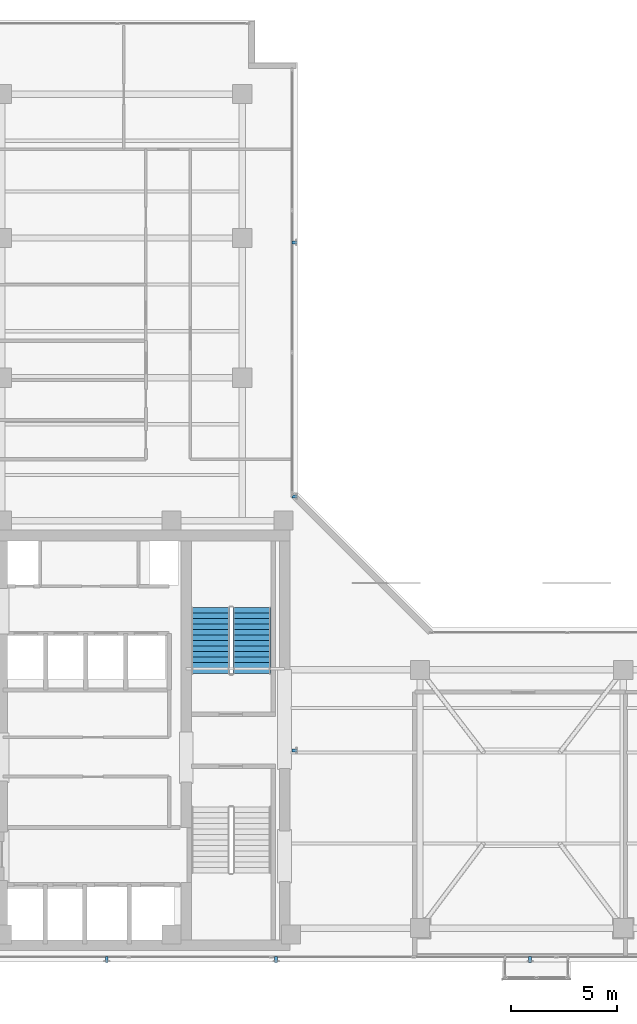
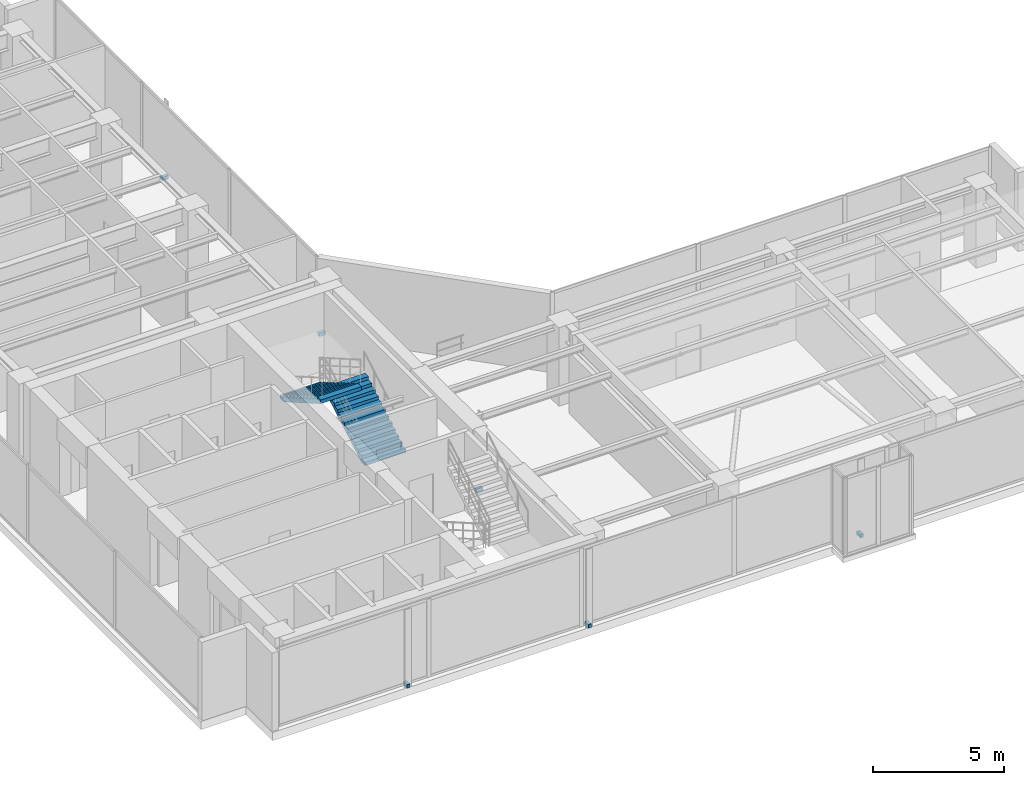
# One storey, part 26 of 31: 6 discrete accessories, 2 stair flights, 1 element without a shape of its own.
"""IFC4 building model written with IfcOpenShell, lengths in metres."""

from ifc_helpers import new_model, si_unit, direction, frame, origin, origin_with_axes, origin_2d, place, context, subcontext, project, spatial, polyline, rectangle, outline, extrude, source, transform, mapped, material, type_object, element, aggregate, save


model = new_model("IFC4")

# Units and contexts
model_context = context("Model", 3, precision=1e-05, world=origin(), true_north=direction((0.0, 1.0)))
body_context = subcontext(model_context, "Body", "Model", "MODEL_VIEW")
ifc_project = project(units=[si_unit("LENGTHUNIT", "METRE"), si_unit("AREAUNIT", "SQUARE_METRE"), si_unit("VOLUMEUNIT", "CUBIC_METRE"), si_unit("PLANEANGLEUNIT", "RADIAN"), si_unit("MASSUNIT", "GRAM", prefix="KILO")], contexts=[model_context])

# Site, building, storey
site_placement = place(None, origin())
site = spatial("IfcSite", under=ifc_project, at=site_placement, CompositionType="ELEMENT")
building_placement = place(site_placement, origin())
building = spatial("IfcBuilding", under=site, at=building_placement, Name="Kolvaren Waterfront Exchange", CompositionType="ELEMENT")
storey_placement = place(building_placement, frame((0.0, 0.0, 344.199951171875)))
storey = spatial("IfcBuildingStorey", under=building, at=storey_placement, Name="L88", CompositionType="ELEMENT", Elevation=344.199951171875)

# Stair, stair flights
ifc_material_1 = material(Name="Concrete C40/50", Category="concrete")
stair_type = type_object("IfcStairType", Name="ARC-STAIR-3900", PredefinedType="HALF_TURN_STAIR", material=ifc_material_1)
stair_placement = place(storey_placement, origin())
stair = element("IfcStair", 1, at=stair_placement, inside=storey, type_object=stair_type, Name="L88 Smoke-proof exit stair ST2", PredefinedType="HALF_TURN_STAIR")
stair_flight_type = type_object("IfcStairFlightType", Name="ARC-FLIGHT-3900", PredefinedType="STRAIGHT", material=ifc_material_1)
stair_flight_1_placement = place(storey_placement, frame((19.260009765625, 17.219970703125, 0.0), z_axis=(0.0, 0.0, 1.0), x_axis=(0.0, 1.0, 0.0)))
stair_flight_1 = element("IfcStairFlight", 2, at=stair_flight_1_placement, type_object=stair_flight_type, Name="ST2 flight 1", NumberOfRisers=13, NumberOfTreads=12, PredefinedType="STRAIGHT", RiserHeight=0.15, TreadLength=0.26, context=body_context, shape_type="SweptSolid", body=[
    extrude(outline(polyline([(0.0, 0.0), (0.0, 0.14990234375), (0.260009765625, 0.14990234375), (0.260009765625, 0.300048828125), (0.52001953125, 0.300048828125), (0.52001953125, 0.449951171875), (0.780029296875, 0.449951171875), (0.780029296875, 0.60009765625), (1.0400390625, 0.60009765625), (1.0400390625, 0.75), (1.300048828125, 0.75), (1.300048828125, 0.89990234375), (1.56005859375, 0.89990234375), (1.56005859375, 1.050048828125), (1.820068359375, 1.050048828125), (1.820068359375, 1.199951171875), (2.080078125, 1.199951171875), (2.080078125, 1.35009765625), (2.340087890625, 1.35009765625), (2.340087890625, 1.5), (2.60009765625, 1.5), (2.60009765625, 1.64990234375), (2.860107421875, 1.64990234375), (2.860107421875, 1.800048828125), (3.1201171875, 1.800048828125), (3.1201171875, 1.949951171875), (3.1201171875, 1.626953125), (0.300048828125, 0.0), (0.0, 0.0)])), frame((0.0, 0.89990234375, 0.0), z_axis=(0.0, -1.0, 0.0), x_axis=(1.0, 0.0, 0.0)), (0.0, 0.0, 1.0), 1.800048828125),
])
stair_flight_2_placement = place(storey_placement, frame((17.300048828125, 20.340087890625, 1.949951171875), z_axis=(0.0, 0.0, 1.0), x_axis=(0.0, -1.0, 0.0)))
stair_flight_2 = element("IfcStairFlight", 3, at=stair_flight_2_placement, type_object=stair_flight_type, Name="ST2 flight 2", NumberOfRisers=13, NumberOfTreads=12, PredefinedType="STRAIGHT", RiserHeight=0.15, TreadLength=0.26, context=body_context, shape_type="SweptSolid", body=[
    extrude(outline(polyline([(0.0, 0.0), (0.0, 0.14990234375), (0.260009765625, 0.14990234375), (0.260009765625, 0.300048828125), (0.52001953125, 0.300048828125), (0.52001953125, 0.449951171875), (0.780029296875, 0.449951171875), (0.780029296875, 0.60009765625), (1.0400390625, 0.60009765625), (1.0400390625, 0.75), (1.300048828125, 0.75), (1.300048828125, 0.89990234375), (1.56005859375, 0.89990234375), (1.56005859375, 1.050048828125), (1.820068359375, 1.050048828125), (1.820068359375, 1.199951171875), (2.080078125, 1.199951171875), (2.080078125, 1.35009765625), (2.340087890625, 1.35009765625), (2.340087890625, 1.5), (2.60009765625, 1.5), (2.60009765625, 1.64990234375), (2.860107421875, 1.64990234375), (2.860107421875, 1.800048828125), (3.1201171875, 1.800048828125), (3.1201171875, 1.949951171875), (3.1201171875, 1.626953125), (0.300048828125, 0.0), (0.0, 0.0)])), frame((0.0, 0.89990234375, 0.0), z_axis=(0.0, -1.0, 0.0), x_axis=(1.0, 0.0, 0.0)), (0.0, 0.0, 1.0), 1.800048828125),
])
aggregate(stair, [stair_flight_1, stair_flight_2])

# Discrete accessories
ifc_material_2 = material(Name="Stainless steel 316", Category="steel")
discrete_accessory_type = type_object("IfcDiscreteAccessoryType", Name="ARC-BRK-FIN", PredefinedType="BRACKET", material=ifc_material_2)
shared_shape = source(origin_with_axes(), body_context, "Body", "SweptSolid", [
    extrude(rectangle(XDim=0.280029296875, YDim=0.139892578125, at=origin_2d()), origin(), (0.0, 0.0, 1.0), 0.159912109375),
])
for number, where, z_axis, x_axis, name in (
    (4, (12.39990234375, 3.719970703125, 0.0), (0.0, 0.0, 1.0), (0.0, -1.0, 0.0), "L88 bronze fin anchor bracket FIN-L88-S1"),
    (5, (20.39990234375, 3.719970703125, 0.0), (0.0, 0.0, 1.0), (0.0, -1.0, 0.0), "L88 bronze fin anchor bracket FIN-L88-S2"),
    (6, (32.39990234375, 3.719970703125, 0.0), (0.0, 0.0, 1.0), (0.0, -1.0, 0.0), "L88 bronze fin anchor bracket FIN-L88-S3"),
    (7, (21.280029296875, 13.60009765625, 0.0), (0.0, 0.0, 1.0), (1.0, 0.0, 0.0), "L88 bronze fin anchor bracket FIN-L88-E1"),
    (8, (21.280029296875, 25.60009765625, 0.0), (0.0, 0.0, 1.0), (1.0, 0.0, 0.0), "L88 bronze fin anchor bracket FIN-L88-E2"),
    (9, (21.280029296875, 37.60009765625, 0.0), (0.0, 0.0, 1.0), (1.0, 0.0, 0.0), "L88 bronze fin anchor bracket FIN-L88-E3"),
):
    element("IfcDiscreteAccessory", number, at=place(storey_placement, frame(where, z_axis=z_axis, x_axis=x_axis)), inside=storey, type_object=discrete_accessory_type, Name=name, PredefinedType="BRACKET", context=body_context, shape_type="MappedRepresentation", body=[
        mapped(shared_shape, transform((0.0, 0.0, 0.0), x_axis=(1.0, 0.0, 0.0), y_axis=(0.0, 1.0, 0.0), z_axis=(0.0, 0.0, 1.0), scale=1.0)),
    ])

save(model, "model.ifc")
